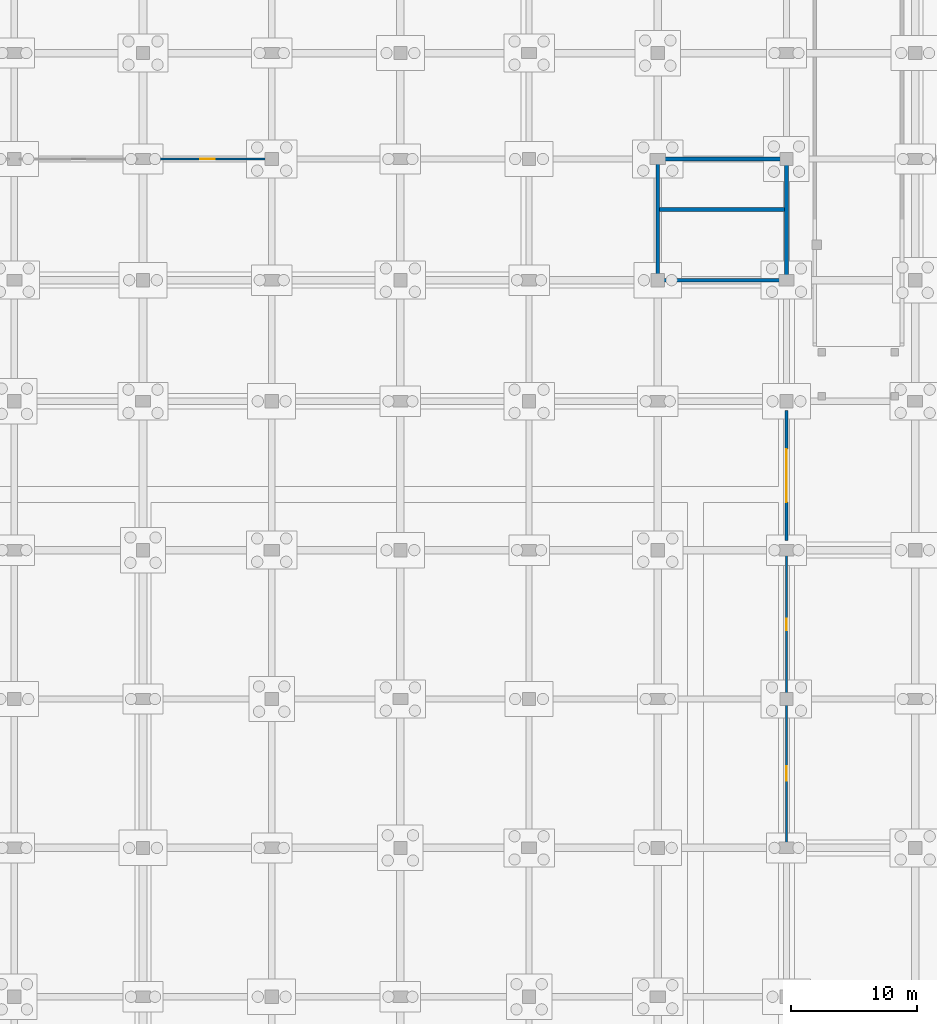
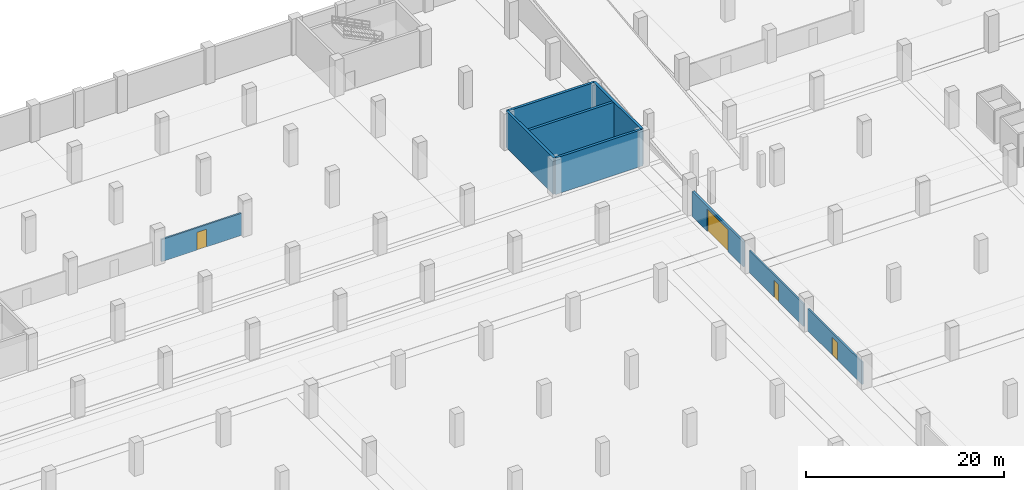
# One storey, part 33 of 52: 9 walls, 4 doors, 4 openings.
"""IFC4 building model written with IfcOpenShell, lengths in metres."""

from ifc_helpers import new_model, si_unit, direction, frame, frame_2d, origin, place, context, subcontext, project, spatial, rectangle, extrude, material, layer, layer_set, type_object, element, fill, save


model = new_model("IFC4")

# Units and contexts
model_context = context("Model", 3, precision=1e-05, world=origin(), true_north=direction((0.0, 1.0)))
body_context = subcontext(model_context, "Body", "Model", "MODEL_VIEW")
ifc_project = project(units=[si_unit("LENGTHUNIT", "METRE"), si_unit("AREAUNIT", "SQUARE_METRE"), si_unit("VOLUMEUNIT", "CUBIC_METRE"), si_unit("PLANEANGLEUNIT", "RADIAN"), si_unit("MASSUNIT", "GRAM", prefix="KILO")], contexts=[model_context])

# Site, building, storey
site_placement = place(None, origin())
site = spatial("IfcSite", under=ifc_project, at=site_placement, CompositionType="ELEMENT")
building_placement = place(site_placement, origin())
building = spatial("IfcBuilding", under=site, at=building_placement, Name="Brelvane Convention Centre", CompositionType="ELEMENT")
storey_placement = place(building_placement, frame((0.0, 0.0, -4.5)))
storey = spatial("IfcBuildingStorey", under=building, at=storey_placement, Name="B1", CompositionType="ELEMENT", Elevation=-4.5)

# Wall, opening, door
ifc_material_1 = material(Name="Concrete M40", Category="concrete")
ifc_layer_1 = layer(ifc_material_1, 0.215087890625)
ifc_layer_set_1 = layer_set([ifc_layer_1], Name="Concrete M40")
wall_type_1 = type_object("IfcWallType", Name="Exterior Wall EW-10", PredefinedType="SOLIDWALL", material=ifc_layer_set_1)
wall_1_placement = place(storey_placement, frame((112.199951171875, 88.550048828125, 0.0), z_axis=(0.0, 0.0, 1.0), x_axis=(0.0, 1.0, 0.0)))
wall_1 = element("IfcWall", 1, at=wall_1_placement, inside=storey, type_object=wall_type_1, Name="Basement Car Park Vehicle Entry Threshold Wall", PredefinedType="SOLIDWALL", context=body_context, shape_type="SweptSolid", body=[
    extrude(rectangle(XDim=10.300048828125, YDim=0.25, at=frame_2d((5.14990234375, 0.0))), origin(), (0.0, 0.0, 1.0), 3.080078125),
])
opening_1_placement = place(wall_1_placement, frame((3.050048828125, 0.0, 0.0)))
opening_1 = element("IfcOpeningElement", 2, at=opening_1_placement, cuts=wall_1, Name="Opening DR-VG-03", PredefinedType="OPENING", context=body_context, shape_type="SweptSolid", body=[
    extrude(rectangle(XDim=4.199951171875, YDim=2.75, at=frame_2d((2.10009765625, 1.375))), frame((0.0, 0.135009765625, 0.0), z_axis=(0.0, -1.0, 0.0), x_axis=(1.0, 0.0, 0.0)), (0.0, 0.0, 1.0), 0.27001953125),
])
ifc_material_2 = material(Name="Steel E350 (350 MPa)", Category="steel")
door_type_1 = type_object("IfcDoorType", Name="Exterior Gate DR-VG-03", OperationType="NOTDEFINED", PredefinedType="GATE", material=ifc_material_2)
door_1_placement = place(opening_1_placement, origin())
door_1 = element("IfcDoor", 3, at=door_1_placement, inside=storey, type_object=door_type_1, Name="Basement B1 Car Park Vehicle Entry Gate", OperationType="ROLLINGUP", OverallHeight=2.75, OverallWidth=4.199951171875, PredefinedType="GATE", context=body_context, shape_type="SweptSolid", body=[
    extrude(rectangle(XDim=4.199951171875, YDim=2.75, at=frame_2d((2.10009765625, 1.375))), frame((0.0, 0.02490234375, 0.0), z_axis=(0.0, -1.0, 0.0), x_axis=(1.0, 0.0, 0.0)), (0.0, 0.0, 1.0), 0.050048828125),
])
fill(opening_1, door_1)

ifc_material_3 = material(Name="Fire-Rated Acoustic Gypsum Partition Board Grade A")
ifc_layer_2 = layer(ifc_material_3, 0.175048828125)
ifc_layer_set_2 = layer_set([ifc_layer_2], Name="Fire-Rated Acoustic Gypsum Partition Board Grade A")
wall_type_2 = type_object("IfcWallType", Name="Interior Wall IW-AC-175", PredefinedType="PARTITIONING", material=ifc_layer_set_2)
wall_2_placement = place(storey_placement, frame((112.199951171875, 76.39990234375, 0.0), z_axis=(0.0, 0.0, 1.0), x_axis=(0.0, 1.0, 0.0)))
wall_2 = element("IfcWall", 4, at=wall_2_placement, inside=storey, type_object=wall_type_2, Name="Interior Partition B1-CRATE3", PredefinedType="PARTITIONING", context=body_context, shape_type="SweptSolid", body=[
    extrude(rectangle(XDim=11.0, YDim=0.175048828125, at=frame_2d((5.5, 0.0))), origin(), (0.0, 0.0, 1.0), 2.75),
])
opening_2_placement = place(wall_2_placement, frame((5.0400390625, 0.0, 0.0)))
opening_2 = element("IfcOpeningElement", 5, at=opening_2_placement, cuts=wall_2, Name="Opening DR-IN-03L", PredefinedType="OPENING", context=body_context, shape_type="SweptSolid", body=[
    extrude(rectangle(XDim=0.919921875, YDim=2.10009765625, at=frame_2d((0.4599609375, 1.050048828125))), frame((0.0, 0.097412109375, 0.0), z_axis=(0.0, -1.0, 0.0), x_axis=(1.0, 0.0, 0.0)), (0.0, 0.0, 1.0), 0.195068359375),
])
ifc_material_4 = material(Name="Solid-Core Fire-Rated Hardwood Leaf Grade 1", Category="wood")
door_type_2 = type_object("IfcDoorType", Name="Interior Door DR-IN-03L", OperationType="NOTDEFINED", PredefinedType="DOOR", material=ifc_material_4)
door_2_placement = place(opening_2_placement, origin())
door_2 = element("IfcDoor", 6, at=door_2_placement, inside=storey, type_object=door_type_2, Name="Interior Door B1-CRATE3 (DR-IN-03L)", OperationType="SINGLE_SWING_LEFT", OverallHeight=2.10009765625, OverallWidth=0.919921875, PredefinedType="DOOR", context=body_context, shape_type="SweptSolid", body=[
    extrude(rectangle(XDim=0.919921875, YDim=2.10009765625, at=frame_2d((0.4599609375, 1.050048828125))), frame((0.0, 0.02490234375, 0.0), z_axis=(0.0, -1.0, 0.0), x_axis=(1.0, 0.0, 0.0)), (0.0, 0.0, 1.0), 0.050048828125),
])
fill(opening_2, door_2)

ifc_material_5 = material(Name="Fire-Rated Acoustic Gypsum Partition Board Grade A")
ifc_layer_3 = layer(ifc_material_5, 0.18505859375)
ifc_layer_set_3 = layer_set([ifc_layer_3], Name="Fire-Rated Acoustic Gypsum Partition Board Grade A")
wall_type_3 = type_object("IfcWallType", Name="Interior Wall IW-AC-185", PredefinedType="PARTITIONING", material=ifc_layer_set_3)
wall_3_placement = place(storey_placement, frame((112.199951171875, 64.60009765625, 0.0), z_axis=(0.0, 0.0, 1.0), x_axis=(0.0, 1.0, 0.0)))
wall_3 = element("IfcWall", 7, at=wall_3_placement, inside=storey, type_object=wall_type_3, Name="Interior Partition B1-CRATE2", PredefinedType="PARTITIONING", context=body_context, shape_type="SweptSolid", body=[
    extrude(rectangle(XDim=11.0, YDim=0.18505859375, at=frame_2d((5.5, 0.0))), origin(), (0.0, 0.0, 1.0), 2.75),
])
opening_3_placement = place(wall_3_placement, frame((4.925048828125, 0.0, 0.0)))
opening_3 = element("IfcOpeningElement", 8, at=opening_3_placement, cuts=wall_3, Name="Opening DR-IN-02R", PredefinedType="OPENING", context=body_context, shape_type="SweptSolid", body=[
    extrude(rectangle(XDim=1.14990234375, YDim=2.199951171875, at=frame_2d((0.574951171875, 1.10009765625))), frame((0.0, 0.1025390625, 0.0), z_axis=(0.0, -1.0, 0.0), x_axis=(1.0, 0.0, 0.0)), (0.0, 0.0, 1.0), 0.205078125),
])
ifc_material_6 = material(Name="Solid-Core Fire-Rated Hardwood Leaf Grade 1", Category="wood")
door_type_3 = type_object("IfcDoorType", Name="Interior Door DR-IN-02R", OperationType="NOTDEFINED", PredefinedType="DOOR", material=ifc_material_6)
door_3_placement = place(opening_3_placement, origin())
door_3 = element("IfcDoor", 9, at=door_3_placement, inside=storey, type_object=door_type_3, Name="Interior Door B1-CRATE2 (DR-IN-02R)", OperationType="SINGLE_SWING_RIGHT", OverallHeight=2.199951171875, OverallWidth=1.14990234375, PredefinedType="DOOR", context=body_context, shape_type="SweptSolid", body=[
    extrude(rectangle(XDim=1.14990234375, YDim=2.199951171875, at=frame_2d((0.574951171875, 1.10009765625))), frame((0.0, 0.02490234375, 0.0), z_axis=(0.0, -1.0, 0.0), x_axis=(1.0, 0.0, 0.0)), (0.0, 0.0, 1.0), 0.050048828125),
])
fill(opening_3, door_3)

wall_4_placement = place(storey_placement, frame((61.60009765625, 118.800048828125, 0.0), z_axis=(0.0, 0.0, 1.0), x_axis=(1.0, 0.0, 0.0)))
wall_4 = element("IfcWall", 10, at=wall_4_placement, inside=storey, type_object=wall_type_3, Name="Interior Partition B1-COLDK3", PredefinedType="PARTITIONING", context=body_context, shape_type="SweptSolid", body=[
    extrude(rectangle(XDim=9.39990234375, YDim=0.18505859375, at=frame_2d((4.699951171875, 0.0))), origin(), (0.0, 0.0, 1.0), 2.75),
])
opening_4_placement = place(wall_4_placement, frame((4.125, 0.0, 0.0)))
opening_4 = element("IfcOpeningElement", 11, at=opening_4_placement, cuts=wall_4, Name="Opening DR-IN-02R", PredefinedType="OPENING", context=body_context, shape_type="SweptSolid", body=[
    extrude(rectangle(XDim=1.14990234375, YDim=2.199951171875, at=frame_2d((0.574951171875, 1.10009765625))), frame((0.0, 0.1025390625, 0.0), z_axis=(0.0, -1.0, 0.0), x_axis=(1.0, 0.0, 0.0)), (0.0, 0.0, 1.0), 0.205078125),
])
door_4_placement = place(opening_4_placement, origin())
door_4 = element("IfcDoor", 12, at=door_4_placement, inside=storey, type_object=door_type_3, Name="Interior Door B1-COLDK3 (DR-IN-02R)", OperationType="SINGLE_SWING_RIGHT", OverallHeight=2.199951171875, OverallWidth=1.14990234375, PredefinedType="DOOR", context=body_context, shape_type="SweptSolid", body=[
    extrude(rectangle(XDim=1.14990234375, YDim=2.199951171875, at=frame_2d((0.574951171875, 1.10009765625))), frame((0.0, 0.02490234375, 0.0), z_axis=(0.0, -1.0, 0.0), x_axis=(1.0, 0.0, 0.0)), (0.0, 0.0, 1.0), 0.050048828125),
])
fill(opening_4, door_4)

# Walls
ifc_material_7 = material(Name="Concrete M50", Category="concrete")
ifc_layer_4 = layer(ifc_material_7, 0.300048828125)
ifc_layer_set_4 = layer_set([ifc_layer_4], Name="Concrete M50")
wall_type_4 = type_object("IfcWallType", Name="Structural Wall WL-CORE-300", PredefinedType="SHEAR", material=ifc_layer_set_4)
for number, where, z_axis, x_axis, name in (
    (13, (102.0, 109.199951171875, 0.0), (0.0, 0.0, 1.0), (1.0, 0.0, 0.0), "Stair Core ST-20 Wall S (B1)"),
    (14, (102.0, 118.800048828125, 0.0), (0.0, 0.0, 1.0), (1.0, 0.0, 0.0), "Stair Core ST-20 Wall N (B1)"),
):
    element("IfcWall", number, at=place(storey_placement, frame(where, z_axis=z_axis, x_axis=x_axis)), inside=storey, type_object=wall_type_4, Name=name, PredefinedType="SHEAR", context=body_context, shape_type="SweptSolid", body=[
        extrude(rectangle(XDim=10.199951171875, YDim=0.300048828125, at=frame_2d((5.10009765625, 0.0))), origin(), (0.0, 0.0, 1.0), 4.5),
    ])
for number, where, z_axis, x_axis, name in (
    (15, (102.0, 109.199951171875, 0.0), (0.0, 0.0, 1.0), (0.0, 1.0, 0.0), "Stair Core ST-20 Wall W (B1)"),
    (16, (112.199951171875, 109.199951171875, 0.0), (0.0, 0.0, 1.0), (0.0, 1.0, 0.0), "Stair Core ST-20 Wall E (B1)"),
):
    element("IfcWall", number, at=place(storey_placement, frame(where, z_axis=z_axis, x_axis=x_axis)), inside=storey, type_object=wall_type_4, Name=name, PredefinedType="SHEAR", context=body_context, shape_type="SweptSolid", body=[
        extrude(rectangle(XDim=9.60009765625, YDim=0.300048828125, at=frame_2d((4.800048828125, 0.0))), origin(), (0.0, 0.0, 1.0), 4.5),
    ])
wall_5_placement = place(storey_placement, frame((102.14990234375, 114.800048828125, 0.0), z_axis=(0.0, 0.0, 1.0), x_axis=(1.0, 0.0, 0.0)))
element("IfcWall", 17, at=wall_5_placement, inside=storey, type_object=wall_type_4, Name="Stair Core ST-20 Well Wall (B1)", PredefinedType="SHEAR", context=body_context, shape_type="SweptSolid", body=[
    extrude(rectangle(XDim=9.900146484375, YDim=0.300048828125, at=frame_2d((4.9501953125, 0.0))), origin(), (0.0, 0.0, 1.0), 4.5),
])

save(model, "model.ifc")
